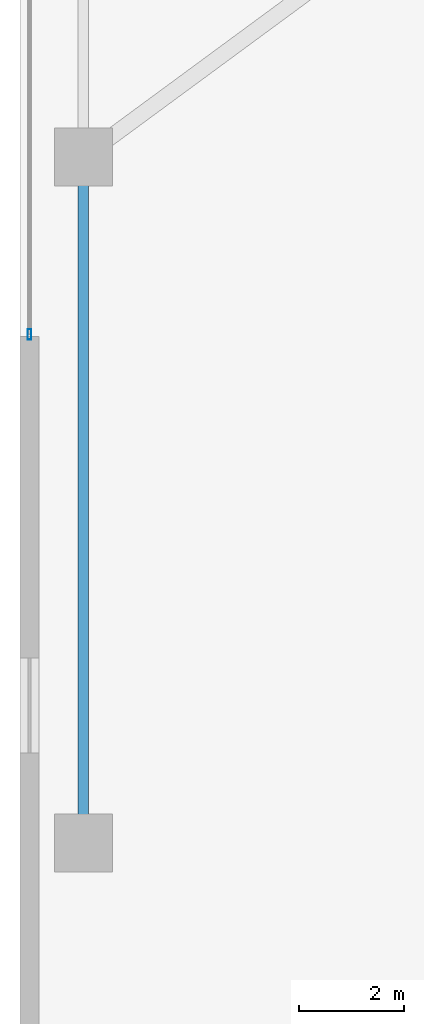
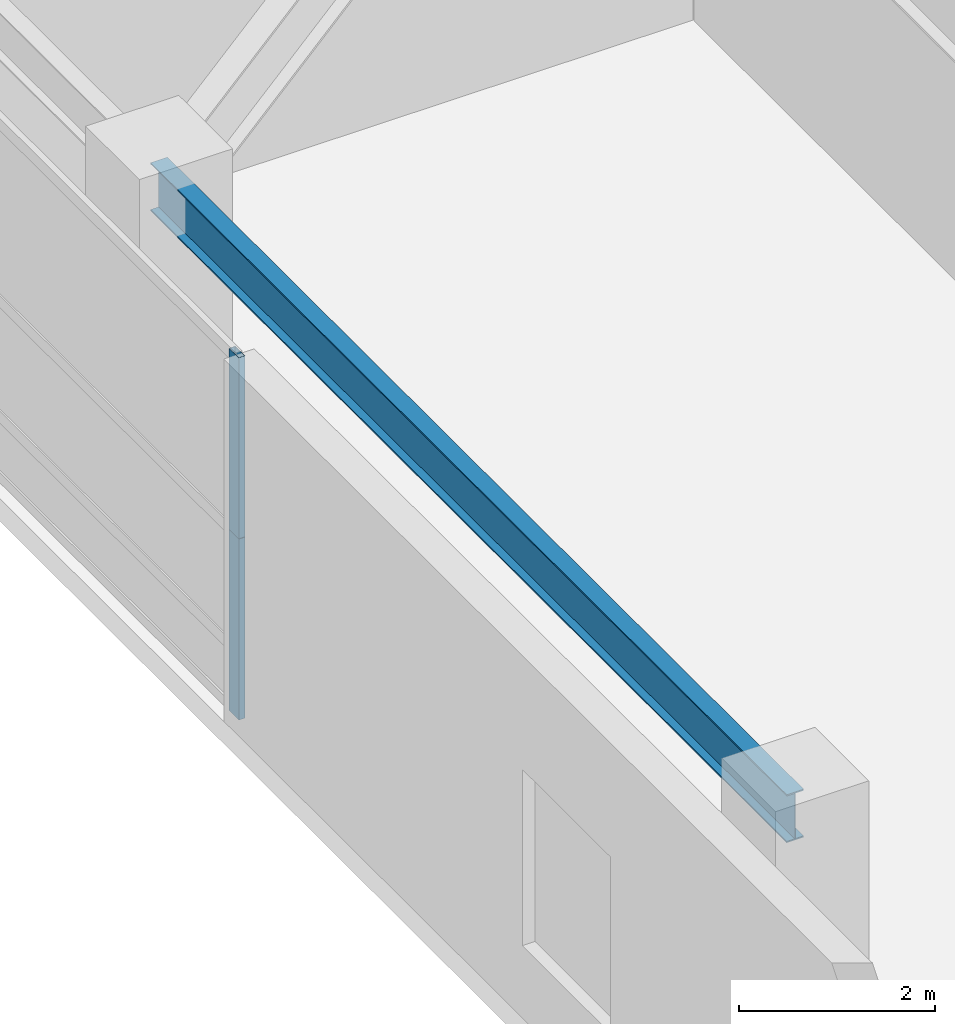
# One storey, part 5 of 39: 2 members, 1 beam, 1 element without a shape of its own.
"""IFC4 building model written with IfcOpenShell, lengths in metres."""

from ifc_helpers import new_model, si_unit, direction, frame, origin, origin_2d, place, context, subcontext, project, spatial, hollow_rectangle, i_section, extrude, source, transform, mapped, material, layer, layer_set, material_profile, profile_set, type_object, element, aggregate, save


model = new_model("IFC4")

# Units and contexts
model_context = context("Model", 3, precision=1e-05, world=origin(), true_north=direction((0.0, 1.0)))
body_context = subcontext(model_context, "Body", "Model", "MODEL_VIEW")
ifc_project = project(units=[si_unit("LENGTHUNIT", "METRE"), si_unit("AREAUNIT", "SQUARE_METRE"), si_unit("VOLUMEUNIT", "CUBIC_METRE"), si_unit("PLANEANGLEUNIT", "RADIAN"), si_unit("MASSUNIT", "GRAM", prefix="KILO"), si_unit("THERMODYNAMICTEMPERATUREUNIT", "KELVIN"), si_unit("POWERUNIT", "WATT")], contexts=[model_context])

# Site, building, storey
site_placement = place(None, origin())
site = spatial("IfcSite", under=ifc_project, at=site_placement, CompositionType="ELEMENT")
building_placement = place(site_placement, origin())
building = spatial("IfcBuilding", under=site, at=building_placement, Name="Yuzanri Waterfront Tower", CompositionType="ELEMENT")
storey_placement = place(building_placement, frame((0.0, 0.0, 15.0)))
storey = spatial("IfcBuildingStorey", under=building, at=storey_placement, Name="L04", CompositionType="ELEMENT", Elevation=15.0)

# Beam
ifc_material_1 = material(Name="Steel Q355B", Category="steel")
ifc_material_profile_1 = material_profile(ifc_material_1, i_section(OverallWidth=0.199951171875, OverallDepth=0.60009765625, WebThickness=0.010986328125, FlangeThickness=0.01708984375, at=origin_2d()), Name="HN 600x200x11x17")
ifc_profile_set_1 = profile_set([ifc_material_profile_1], Name="Steel Q355B")
beam_type = type_object("IfcBeamType", Name="Perimeter Spandrel Q355B HN 600x200", PredefinedType="SPANDREL", material=ifc_profile_set_1)
shared_shape_1 = source(origin(), body_context, "Body", "SweptSolid", [
    extrude(i_section(OverallWidth=0.199951171875, OverallDepth=0.60009765625, WebThickness=0.010986328125, FlangeThickness=0.01708984375, at=origin_2d()), origin(), (0.0, 0.0, 1.0), 13.0),
])
beam_placement = place(storey_placement, frame((3.199951171875, 6.39990234375, 4.219970703125), z_axis=(0.0, 1.0, 0.0), x_axis=(-1.0, 0.0, 0.0)))
element("IfcBeam", 1, at=beam_placement, inside=storey, type_object=beam_type, Name="L04 West Podium Spandrel 1", PredefinedType="SPANDREL", context=body_context, shape_type="MappedRepresentation", body=[
    mapped(shared_shape_1, transform((0.0, 0.0, 0.0), scale=1.0)),
])

# Curtain wall, members
ifc_material_2 = material(Name="Anodized Architectural Bronze", Category="metal")
ifc_layer = layer(ifc_material_2, 0.159912109375)
ifc_layer_set = layer_set([ifc_layer], Name="Anodized Architectural Bronze")
curtain_wall_type = type_object("IfcCurtainWallType", Name="Anodized Bronze Podium Waterfront Double-Height Unitized Curtain Wall 8400", PredefinedType="NOTDEFINED", material=ifc_layer_set)
curtain_wall_placement = place(storey_placement, origin())
curtain_wall = element("IfcCurtainWall", 2, at=curtain_wall_placement, inside=storey, type_object=curtain_wall_type, Name="L04 Curtain Wall CW-L04-W", PredefinedType="NOTDEFINED")
ifc_material_3 = material(Name="Anodized Architectural Bronze", Category="metal")
ifc_material_profile_2 = material_profile(ifc_material_3, hollow_rectangle(XDim=0.074951171875, YDim=0.199951171875, WallThickness=0.00390625, at=origin_2d()), Name="CWM 75x200")
ifc_profile_set_2 = profile_set([ifc_material_profile_2], Name="Anodized Architectural Bronze")
member_type = type_object("IfcMemberType", Name="Anodized Bronze Primary Curtain-Wall Mullion 75x200", PredefinedType="MULLION", material=ifc_profile_set_2)
shared_shape_2 = source(origin(), body_context, "Body", "SweptSolid", [
    extrude(hollow_rectangle(XDim=0.074951171875, YDim=0.199951171875, WallThickness=0.00390625, at=origin_2d()), origin(), (0.0, 0.0, 1.0), 2.258056640625),
])
member_1_placement = place(storey_placement, frame((2.179931640625, 16.0400390625, 0.0), z_axis=(0.0, 0.0, 1.0), x_axis=(1.0, 0.0, 0.0)))
member_1 = element("IfcMember", 3, at=member_1_placement, type_object=member_type, Name="CW-L04-W Lower Mullion 00", PredefinedType="MULLION", context=body_context, shape_type="MappedRepresentation", body=[
    mapped(shared_shape_2, transform((0.0, 0.0, 0.0), scale=1.0)),
])
member_2_placement = place(storey_placement, frame((2.179931640625, 16.0400390625, 2.261962890625), z_axis=(0.0, 0.0, 1.0), x_axis=(1.0, 0.0, 0.0)))
member_2 = element("IfcMember", 4, at=member_2_placement, type_object=member_type, Name="CW-L04-W Upper Mullion 00", PredefinedType="MULLION", context=body_context, shape_type="MappedRepresentation", body=[
    mapped(shared_shape_2, transform((0.0, 0.0, 0.0), scale=1.0)),
])
aggregate(curtain_wall, [member_1, member_2])

save(model, "model.ifc")
